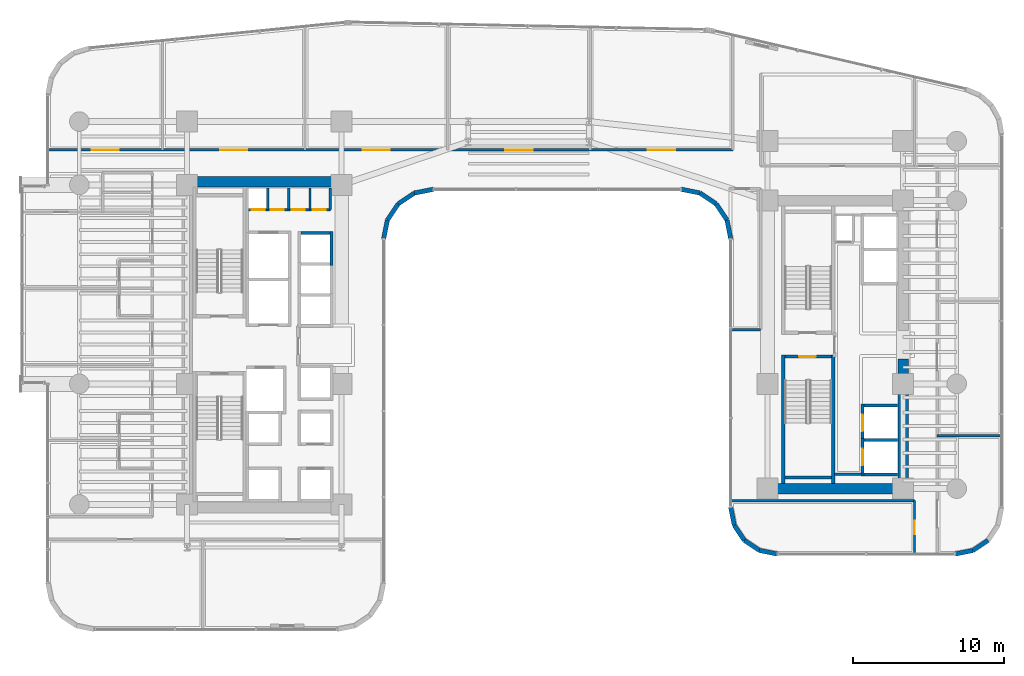
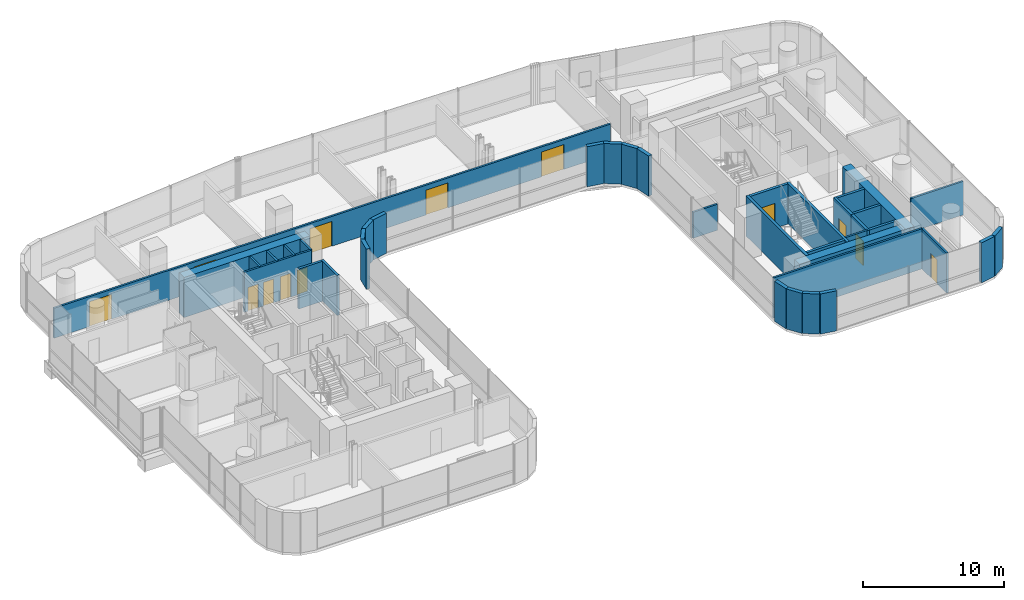
# One storey, part 31 of 39: 39 walls, 13 doors, 13 openings.
"""IFC4 building model written with IfcOpenShell, lengths in metres."""

from ifc_helpers import new_model, si_unit, direction, frame, frame_2d, origin, place, context, subcontext, project, spatial, rectangle, extrude, material, layer, layer_set, type_object, element, fill, save


model = new_model("IFC4")

# Units and contexts
model_context = context("Model", 3, precision=1e-05, world=origin(), true_north=direction((0.0, 1.0)))
body_context = subcontext(model_context, "Body", "Model", "MODEL_VIEW")
ifc_project = project(units=[si_unit("LENGTHUNIT", "METRE"), si_unit("AREAUNIT", "SQUARE_METRE"), si_unit("VOLUMEUNIT", "CUBIC_METRE"), si_unit("PLANEANGLEUNIT", "RADIAN"), si_unit("MASSUNIT", "GRAM", prefix="KILO")], contexts=[model_context])

# Site, building, storey
site_placement = place(None, origin())
site = spatial("IfcSite", under=ifc_project, at=site_placement, CompositionType="ELEMENT")
building_placement = place(site_placement, origin())
building = spatial("IfcBuilding", under=site, at=building_placement, Name="Valdorenza Pilgrim Sanctuary Tower", CompositionType="ELEMENT")
storey_placement = place(building_placement, frame((0.0, 0.0, 77.800048828125)))
storey = spatial("IfcBuildingStorey", under=building, at=storey_placement, Name="L19", CompositionType="ELEMENT", Elevation=77.800048828125)

# Wall, openings, doors
ifc_material_1 = material(Name="Acoustic twin-stud gypsum partition", Category="gypsum")
ifc_layer_1 = layer(ifc_material_1, 0.159912109375, Name="Acoustic twin-stud gypsum partition")
ifc_layer_set_1 = layer_set([ifc_layer_1], Name="Acoustic twin-stud gypsum partition")
wall_type_1 = type_object("IfcWallType", Name="WAL-COR-160", PredefinedType="PARTITIONING", material=ifc_layer_set_1)
wall_1_placement = place(storey_placement, frame((-18.64990234375, 8.949951171875, 0.0), z_axis=(0.0, 0.0, 1.0), x_axis=(1.0, 0.0, 0.0)))
wall_1 = element("IfcWall", 1, at=wall_1_placement, inside=storey, type_object=wall_type_1, Name="L19 Core A North Service South Wall", PredefinedType="PARTITIONING", context=body_context, shape_type="SweptSolid", body=[
    extrude(rectangle(XDim=5.5, YDim=0.159912109375, at=frame_2d((2.75, 0.0))), origin(), (0.0, 0.0, 1.0), 3.4599609375),
])
opening_1_placement = place(wall_1_placement, frame((0.300048828125, 0.0, 0.0)))
opening_1 = element("IfcOpeningElement", 2, at=opening_1_placement, cuts=wall_1, Name="Opening DR-RS1", PredefinedType="OPENING", context=body_context, shape_type="SweptSolid", body=[
    extrude(rectangle(XDim=0.85009765625, YDim=2.050048828125, at=frame_2d((0.425048828125, 1.02490234375))), frame((0.0, 0.0947265625, 0.0), z_axis=(0.0, -1.0, 0.0), x_axis=(1.0, 0.0, 0.0)), (0.0, 0.0, 1.0), 0.189697265625),
])
opening_2_placement = place(wall_1_placement, frame((1.550048828125, 0.0, 0.0)))
opening_2 = element("IfcOpeningElement", 3, at=opening_2_placement, cuts=wall_1, Name="Opening DR-RS1", PredefinedType="OPENING", context=body_context, shape_type="SweptSolid", body=[
    extrude(rectangle(XDim=0.85009765625, YDim=2.050048828125, at=frame_2d((0.425048828125, 1.02490234375))), frame((0.0, 0.0947265625, 0.0), z_axis=(0.0, -1.0, 0.0), x_axis=(1.0, 0.0, 0.0)), (0.0, 0.0, 1.0), 0.189697265625),
])
opening_3_placement = place(wall_1_placement, frame((2.949951171875, 0.0, 0.0)))
opening_3 = element("IfcOpeningElement", 4, at=opening_3_placement, cuts=wall_1, Name="Opening DR-RS1", PredefinedType="OPENING", context=body_context, shape_type="SweptSolid", body=[
    extrude(rectangle(XDim=0.85009765625, YDim=2.050048828125, at=frame_2d((0.425048828125, 1.02490234375))), frame((0.0, 0.0947265625, 0.0), z_axis=(0.0, -1.0, 0.0), x_axis=(1.0, 0.0, 0.0)), (0.0, 0.0, 1.0), 0.189697265625),
])
opening_4_placement = place(wall_1_placement, frame((4.35009765625, 0.0, 0.0)))
opening_4 = element("IfcOpeningElement", 5, at=opening_4_placement, cuts=wall_1, Name="Opening DR-RS1", PredefinedType="OPENING", context=body_context, shape_type="SweptSolid", body=[
    extrude(rectangle(XDim=0.85009765625, YDim=2.050048828125, at=frame_2d((0.425048828125, 1.02490234375))), frame((0.0, 0.0947265625, 0.0), z_axis=(0.0, -1.0, 0.0), x_axis=(1.0, 0.0, 0.0)), (0.0, 0.0, 1.0), 0.189697265625),
])
ifc_material_2 = material(Name="Painted galvanized steel", Category="steel")
door_type_1 = type_object("IfcDoorType", Name="DR-RSR-850", OperationType="NOTDEFINED", PredefinedType="DOOR", material=ifc_material_2)
door_1_placement = place(opening_1_placement, origin())
door_1 = element("IfcDoor", 6, at=door_1_placement, inside=storey, type_object=door_type_1, Name="L19 Core Electrical and Telecom Riser Door", OperationType="SINGLE_SWING_LEFT", OverallHeight=2.050048828125, OverallWidth=0.85009765625, PredefinedType="DOOR", context=body_context, shape_type="SweptSolid", body=[
    extrude(rectangle(XDim=0.85009765625, YDim=2.050048828125, at=frame_2d((0.425048828125, 1.02490234375))), frame((0.0, 0.02490234375, 0.0), z_axis=(0.0, -1.0, 0.0), x_axis=(1.0, 0.0, 0.0)), (0.0, 0.0, 1.0), 0.050048828125),
])
fill(opening_1, door_1)
door_2_placement = place(opening_2_placement, origin())
door_2 = element("IfcDoor", 7, at=door_2_placement, inside=storey, type_object=door_type_1, Name="L19 Housekeeping and Clean Linen Room Door", OperationType="SINGLE_SWING_RIGHT", OverallHeight=2.050048828125, OverallWidth=0.85009765625, PredefinedType="DOOR", context=body_context, shape_type="SweptSolid", body=[
    extrude(rectangle(XDim=0.85009765625, YDim=2.050048828125, at=frame_2d((0.425048828125, 1.02490234375))), frame((0.0, 0.02490234375, 0.0), z_axis=(0.0, -1.0, 0.0), x_axis=(1.0, 0.0, 0.0)), (0.0, 0.0, 1.0), 0.050048828125),
])
fill(opening_2, door_2)
door_3_placement = place(opening_3_placement, origin())
door_3 = element("IfcDoor", 8, at=door_3_placement, inside=storey, type_object=door_type_1, Name="L19 Core IT Server Closet Door", OperationType="SINGLE_SWING_LEFT", OverallHeight=2.050048828125, OverallWidth=0.85009765625, PredefinedType="DOOR", context=body_context, shape_type="SweptSolid", body=[
    extrude(rectangle(XDim=0.85009765625, YDim=2.050048828125, at=frame_2d((0.425048828125, 1.02490234375))), frame((0.0, 0.02490234375, 0.0), z_axis=(0.0, -1.0, 0.0), x_axis=(1.0, 0.0, 0.0)), (0.0, 0.0, 1.0), 0.050048828125),
])
fill(opening_3, door_3)
door_4_placement = place(opening_4_placement, origin())
door_4 = element("IfcDoor", 9, at=door_4_placement, inside=storey, type_object=door_type_1, Name="L19 Core Staff Washroom Door", OperationType="SINGLE_SWING_RIGHT", OverallHeight=2.050048828125, OverallWidth=0.85009765625, PredefinedType="DOOR", context=body_context, shape_type="SweptSolid", body=[
    extrude(rectangle(XDim=0.85009765625, YDim=2.050048828125, at=frame_2d((0.425048828125, 1.02490234375))), frame((0.0, 0.02490234375, 0.0), z_axis=(0.0, -1.0, 0.0), x_axis=(1.0, 0.0, 0.0)), (0.0, 0.0, 1.0), 0.050048828125),
])
fill(opening_4, door_4)

# Walls
for number, where, z_axis, x_axis, name in (
    (10, (-13.14990234375, 8.949951171875, 0.0), (0.0, 0.0, 1.0), (0.0, 1.0, 0.0), "L19 Core A North Service East Wall"),
    (11, (-17.300048828125, 8.949951171875, 0.0), (0.0, 0.0, 1.0), (0.0, 1.0, 0.0), "L19 Core Electrical Riser Wall"),
    (12, (-15.89990234375, 8.949951171875, 0.0), (0.0, 0.0, 1.0), (0.0, 1.0, 0.0), "L19 Core A Split D1"),
    (13, (-14.5, 8.949951171875, 0.0), (0.0, 0.0, 1.0), (0.0, 1.0, 0.0), "L19 Core A Split D2"),
):
    element("IfcWall", number, at=place(storey_placement, frame(where, z_axis=z_axis, x_axis=x_axis)), inside=storey, type_object=wall_type_1, Name=name, PredefinedType="PARTITIONING", context=body_context, shape_type="SweptSolid", body=[
        extrude(rectangle(XDim=1.429931640625, YDim=0.159912109375, at=frame_2d((0.71484375, 0.0))), origin(), (0.0, 0.0, 1.0), 3.4599609375),
    ])
wall_2_placement = place(storey_placement, frame((20.300048828125, -8.60009765625, 0.0), z_axis=(0.0, 0.0, 1.0), x_axis=(1.0, 0.0, 0.0)))
element("IfcWall", 14, at=wall_2_placement, inside=storey, type_object=wall_type_1, Name="L19 Core B Lift Hall South End Wall", PredefinedType="PARTITIONING", context=body_context, shape_type="SweptSolid", body=[
    extrude(rectangle(XDim=1.820068359375, YDim=0.159912109375, at=frame_2d((0.91015625, 0.0))), origin(), (0.0, 0.0, 1.0), 3.4599609375),
])

# Wall, openings, doors
wall_3_placement = place(storey_placement, frame((-31.889892578125, 12.919921875, 0.0), z_axis=(0.0, 0.0, 1.0), x_axis=(1.0, 0.0, 0.0)))
wall_3 = element("IfcWall", 15, at=wall_3_placement, inside=storey, type_object=wall_type_1, Name="L19 North Corridor Wall", PredefinedType="PARTITIONING", context=body_context, shape_type="SweptSolid", body=[
    extrude(rectangle(XDim=45.43994140625, YDim=0.159912109375, at=frame_2d((22.719970703125, 0.0))), origin(), (0.0, 0.0, 1.0), 2.5830078125),
])
opening_5_placement = place(wall_3_placement, frame((2.904052734375, 0.0, 0.0)))
opening_5 = element("IfcOpeningElement", 16, at=opening_5_placement, cuts=wall_3, Name="Opening DR-HL1", PredefinedType="OPENING", context=body_context, shape_type="SweptSolid", body=[
    extrude(rectangle(XDim=1.800048828125, YDim=2.14990234375, at=frame_2d((0.89990234375, 1.074951171875))), frame((0.0, 0.0947265625, 0.0), z_axis=(0.0, -1.0, 0.0), x_axis=(1.0, 0.0, 0.0)), (0.0, 0.0, 1.0), 0.189697265625),
])
opening_6_placement = place(wall_3_placement, frame((11.43701171875, 0.0, 0.0)))
opening_6 = element("IfcOpeningElement", 17, at=opening_6_placement, cuts=wall_3, Name="Opening DR-HL1", PredefinedType="OPENING", context=body_context, shape_type="SweptSolid", body=[
    extrude(rectangle(XDim=1.800048828125, YDim=2.14990234375, at=frame_2d((0.89990234375, 1.074951171875))), frame((0.0, 0.0947265625, 0.0), z_axis=(0.0, -1.0, 0.0), x_axis=(1.0, 0.0, 0.0)), (0.0, 0.0, 1.0), 0.189697265625),
])
opening_7_placement = place(wall_3_placement, frame((20.89501953125, 0.0, 0.0)))
opening_7 = element("IfcOpeningElement", 18, at=opening_7_placement, cuts=wall_3, Name="Opening DR-HL1", PredefinedType="OPENING", context=body_context, shape_type="SweptSolid", body=[
    extrude(rectangle(XDim=1.800048828125, YDim=2.14990234375, at=frame_2d((0.89990234375, 1.074951171875))), frame((0.0, 0.0947265625, 0.0), z_axis=(0.0, -1.0, 0.0), x_axis=(1.0, 0.0, 0.0)), (0.0, 0.0, 1.0), 0.189697265625),
])
opening_8_placement = place(wall_3_placement, frame((30.35302734375, 0.0, 0.0)))
opening_8 = element("IfcOpeningElement", 19, at=opening_8_placement, cuts=wall_3, Name="Opening DR-HL1", PredefinedType="OPENING", context=body_context, shape_type="SweptSolid", body=[
    extrude(rectangle(XDim=1.800048828125, YDim=2.14990234375, at=frame_2d((0.89990234375, 1.074951171875))), frame((0.0, 0.0947265625, 0.0), z_axis=(0.0, -1.0, 0.0), x_axis=(1.0, 0.0, 0.0)), (0.0, 0.0, 1.0), 0.189697265625),
])
opening_9_placement = place(wall_3_placement, frame((39.81103515625, 0.0, 0.0)))
opening_9 = element("IfcOpeningElement", 20, at=opening_9_placement, cuts=wall_3, Name="Opening DR-HL1", PredefinedType="OPENING", context=body_context, shape_type="SweptSolid", body=[
    extrude(rectangle(XDim=1.800048828125, YDim=2.14990234375, at=frame_2d((0.89990234375, 1.074951171875))), frame((0.0, 0.0947265625, 0.0), z_axis=(0.0, -1.0, 0.0), x_axis=(1.0, 0.0, 0.0)), (0.0, 0.0, 1.0), 0.189697265625),
])
ifc_material_3 = material(Name="Acoustic oak and vision-glass double door", Category="glass")
door_type_2 = type_object("IfcDoorType", Name="DR-HALL-1800", OperationType="NOTDEFINED", PredefinedType="DOOR", material=ifc_material_3)
door_5_placement = place(opening_5_placement, origin())
door_5 = element("IfcDoor", 21, at=door_5_placement, inside=storey, type_object=door_type_2, Name="L19 Theological Seminar Classroom L19-N1 Door", OperationType="DOUBLE_DOOR_SINGLE_SWING", OverallHeight=2.14990234375, OverallWidth=1.800048828125, PredefinedType="DOOR", context=body_context, shape_type="SweptSolid", body=[
    extrude(rectangle(XDim=1.800048828125, YDim=2.14990234375, at=frame_2d((0.89990234375, 1.074951171875))), frame((0.0, 0.02490234375, 0.0), z_axis=(0.0, -1.0, 0.0), x_axis=(1.0, 0.0, 0.0)), (0.0, 0.0, 1.0), 0.050048828125),
])
fill(opening_5, door_5)
door_6_placement = place(opening_6_placement, frame((1.800048828125, 0.0, 0.0), z_axis=(0.0, 0.0, 1.0), x_axis=(-1.0, 0.0, 0.0)))
door_6 = element("IfcDoor", 22, at=door_6_placement, inside=storey, type_object=door_type_2, Name="L19 Theological Seminar Classroom L19-N2 Door", OperationType="DOUBLE_DOOR_SINGLE_SWING", OverallHeight=2.14990234375, OverallWidth=1.800048828125, PredefinedType="DOOR", context=body_context, shape_type="SweptSolid", body=[
    extrude(rectangle(XDim=1.800048828125, YDim=2.14990234375, at=frame_2d((0.89990234375, 1.074951171875))), frame((0.0, 0.02490234375, 0.0), z_axis=(0.0, -1.0, 0.0), x_axis=(1.0, 0.0, 0.0)), (0.0, 0.0, 1.0), 0.050048828125),
])
fill(opening_6, door_6)
door_7_placement = place(opening_7_placement, origin())
door_7 = element("IfcDoor", 23, at=door_7_placement, inside=storey, type_object=door_type_2, Name="L19 Theological Seminar Classroom L19-N3 Door", OperationType="DOUBLE_DOOR_SINGLE_SWING", OverallHeight=2.14990234375, OverallWidth=1.800048828125, PredefinedType="DOOR", context=body_context, shape_type="SweptSolid", body=[
    extrude(rectangle(XDim=1.800048828125, YDim=2.14990234375, at=frame_2d((0.89990234375, 1.074951171875))), frame((0.0, 0.02490234375, 0.0), z_axis=(0.0, -1.0, 0.0), x_axis=(1.0, 0.0, 0.0)), (0.0, 0.0, 1.0), 0.050048828125),
])
fill(opening_7, door_7)
door_8_placement = place(opening_8_placement, frame((1.800048828125, 0.0, 0.0), z_axis=(0.0, 0.0, 1.0), x_axis=(-1.0, 0.0, 0.0)))
door_8 = element("IfcDoor", 24, at=door_8_placement, inside=storey, type_object=door_type_2, Name="L19 Theological Seminar Classroom L19-N4 Door", OperationType="DOUBLE_DOOR_SINGLE_SWING", OverallHeight=2.14990234375, OverallWidth=1.800048828125, PredefinedType="DOOR", context=body_context, shape_type="SweptSolid", body=[
    extrude(rectangle(XDim=1.800048828125, YDim=2.14990234375, at=frame_2d((0.89990234375, 1.074951171875))), frame((0.0, 0.02490234375, 0.0), z_axis=(0.0, -1.0, 0.0), x_axis=(1.0, 0.0, 0.0)), (0.0, 0.0, 1.0), 0.050048828125),
])
fill(opening_8, door_8)
door_9_placement = place(opening_9_placement, origin())
door_9 = element("IfcDoor", 25, at=door_9_placement, inside=storey, type_object=door_type_2, Name="L19 Theological Seminar Classroom L19-N5 Door", OperationType="DOUBLE_DOOR_SINGLE_SWING", OverallHeight=2.14990234375, OverallWidth=1.800048828125, PredefinedType="DOOR", context=body_context, shape_type="SweptSolid", body=[
    extrude(rectangle(XDim=1.800048828125, YDim=2.14990234375, at=frame_2d((0.89990234375, 1.074951171875))), frame((0.0, 0.02490234375, 0.0), z_axis=(0.0, -1.0, 0.0), x_axis=(1.0, 0.0, 0.0)), (0.0, 0.0, 1.0), 0.050048828125),
])
fill(opening_9, door_9)

# Wall, opening, door
wall_4_placement = place(storey_placement, frame((25.60009765625, -13.889892578125, 0.0), z_axis=(0.0, 0.0, 1.0), x_axis=(0.0, 1.0, 0.0)))
wall_4 = element("IfcWall", 26, at=wall_4_placement, inside=storey, type_object=wall_type_1, Name="L19 Wing B South-East Corridor Wall", PredefinedType="PARTITIONING", context=body_context, shape_type="SweptSolid", body=[
    extrude(rectangle(XDim=3.539794921875, YDim=0.159912109375, at=frame_2d((1.77001953125, 0.0))), origin(), (0.0, 0.0, 1.0), 3.4599609375),
])
opening_10_placement = place(wall_4_placement, frame((1.320068359375, 0.0, 0.0)))
opening_10 = element("IfcOpeningElement", 27, at=opening_10_placement, cuts=wall_4, Name="Opening DR-RM1", PredefinedType="OPENING", context=body_context, shape_type="SweptSolid", body=[
    extrude(rectangle(XDim=0.89990234375, YDim=2.10009765625, at=frame_2d((0.449951171875, 1.050048828125))), frame((0.0, 0.0947265625, 0.0), z_axis=(0.0, -1.0, 0.0), x_axis=(1.0, 0.0, 0.0)), (0.0, 0.0, 1.0), 0.189697265625),
])
ifc_material_4 = material(Name="Solid-core European oak timber", Category="wood")
door_type_3 = type_object("IfcDoorType", Name="DR-ROOM-900", OperationType="NOTDEFINED", PredefinedType="DOOR", material=ifc_material_4)
door_10_placement = place(opening_10_placement, origin())
door_10 = element("IfcDoor", 28, at=door_10_placement, inside=storey, type_object=door_type_3, Name="L19 Theological Reference Library L19-BS Door", OperationType="SINGLE_SWING_RIGHT", OverallHeight=2.10009765625, OverallWidth=0.89990234375, PredefinedType="DOOR", context=body_context, shape_type="SweptSolid", body=[
    extrude(rectangle(XDim=0.89990234375, YDim=2.10009765625, at=frame_2d((0.449951171875, 1.050048828125))), frame((0.0, 0.02490234375, 0.0), z_axis=(0.0, -1.0, 0.0), x_axis=(1.0, 0.0, 0.0)), (0.0, 0.0, 1.0), 0.050048828125),
])
fill(opening_10, door_10)

# Walls
wall_5_placement = place(storey_placement, frame((13.409912109375, -10.35009765625, 0.0), z_axis=(0.0, 0.0, 1.0), x_axis=(1.0, 0.0, 0.0)))
element("IfcWall", 29, at=wall_5_placement, inside=storey, type_object=wall_type_1, Name="L19 Wing B South North Wall", PredefinedType="PARTITIONING", context=body_context, shape_type="SweptSolid", body=[
    extrude(rectangle(XDim=12.190185546875, YDim=0.159912109375, at=frame_2d((6.09521484375, 0.0))), origin(), (0.0, 0.0, 1.0), 3.4599609375),
])
wall_6_placement = place(storey_placement, frame((13.409912109375, 1.0, 0.0), z_axis=(0.0, 0.0, 1.0), x_axis=(1.0, 0.0, 0.0)))
element("IfcWall", 30, at=wall_6_placement, inside=storey, type_object=wall_type_1, Name="L19 Courtyard Overlook South Wall", PredefinedType="PARTITIONING", context=body_context, shape_type="SweptSolid", body=[
    extrude(rectangle(XDim=1.989990234375, YDim=0.159912109375, at=frame_2d((0.9951171875, 0.0))), origin(), (0.0, 0.0, 1.0), 2.244873046875),
])
ifc_material_5 = material(Name="Concrete C60/75", Category="concrete")
ifc_layer_2 = layer(ifc_material_5, 0.699951171875, Name="Concrete C60/75")
ifc_layer_set_2 = layer_set([ifc_layer_2], Name="Concrete C60/75")
wall_type_2 = type_object("IfcWallType", Name="WAL-COR-700", PredefinedType="SHEAR", material=ifc_layer_set_2)
wall_7_placement = place(storey_placement, frame((-22.64990234375, 10.800048828125, 0.0), z_axis=(0.0, 0.0, 1.0), x_axis=(1.0, 0.0, 0.0)))
element("IfcWall", 31, at=wall_7_placement, inside=storey, type_object=wall_type_2, Name="L19 Split Core A Shear Wall N", PredefinedType="SHEAR", context=body_context, shape_type="SweptSolid", body=[
    extrude(rectangle(XDim=10.25, YDim=0.699951171875, at=frame_2d((5.125, 0.0))), origin(), (0.0, 0.0, 1.0), 3.4599609375),
])
wall_8_placement = place(storey_placement, frame((24.85009765625, -9.89990234375, 0.0), z_axis=(0.0, 0.0, 1.0), x_axis=(0.0, 1.0, 0.0)))
element("IfcWall", 32, at=wall_8_placement, inside=storey, type_object=wall_type_2, Name="L19 Split Core B Shear Wall ES", PredefinedType="SHEAR", context=body_context, shape_type="SweptSolid", body=[
    extrude(rectangle(XDim=8.949951171875, YDim=0.699951171875, at=frame_2d((4.47509765625, 0.0))), origin(), (0.0, 0.0, 1.0), 3.4599609375),
])
wall_9_placement = place(storey_placement, frame((15.85009765625, -9.550048828125, 0.0), z_axis=(0.0, 0.0, 1.0), x_axis=(1.0, 0.0, 0.0)))
element("IfcWall", 33, at=wall_9_placement, inside=storey, type_object=wall_type_2, Name="L19 Split Core B Shear Wall S", PredefinedType="SHEAR", context=body_context, shape_type="SweptSolid", body=[
    extrude(rectangle(XDim=9.0, YDim=0.699951171875, at=frame_2d((4.5, 0.0))), origin(), (0.0, 0.0, 1.0), 3.4599609375),
])
ifc_material_6 = material(Name="Honed travertine limestone", Category="masonry")
ifc_layer_3 = layer(ifc_material_6, 0.300048828125, Name="Honed travertine limestone")
ifc_layer_set_3 = layer_set([ifc_layer_3], Name="Honed travertine limestone")
wall_type_3 = type_object("IfcWallType", Name="WAL-EXT-300", PredefinedType="SOLIDWALL", material=ifc_layer_set_3)
wall_10_placement = place(storey_placement, frame((30.4833984375, -12.9833984375, 0.0), z_axis=(0.0, 0.0, 1.0), x_axis=(-0.831426265255, -0.555635100982, 0.0)))
element("IfcWall", 34, at=wall_10_placement, inside=storey, type_object=wall_type_3, Name="L19 Rounded Wind-Corner Stone Pier 24", PredefinedType="SOLIDWALL", context=body_context, shape_type="SweptSolid", body=[
    extrude(rectangle(XDim=1.204833984375, YDim=0.300048828125, at=frame_2d((0.6025390625, 0.0))), origin(), (0.0, 0.0, 1.0), 3.4599609375),
])
for number, where, z_axis, x_axis, name in (
    (35, (29.481689453125, -13.65283203125, 0.0), (0.0, 0.0, 1.0), (-0.980804027463, -0.194996050505, 0.0), "L19 Rounded Wind-Corner Stone Pier 25"),
    (36, (16.5107421875, -13.889892578125, 0.0), (0.0, 0.0, 1.0), (-0.980804027463, 0.194996050505, 0.0), "L19 Rounded Wind-Corner Stone Pier 27"),
):
    element("IfcWall", number, at=place(storey_placement, frame(where, z_axis=z_axis, x_axis=x_axis)), inside=storey, type_object=wall_type_3, Name=name, PredefinedType="SOLIDWALL", context=body_context, shape_type="SweptSolid", body=[
        extrude(rectangle(XDim=1.2158203125, YDim=0.300048828125, at=frame_2d((0.60791015625, 0.0))), origin(), (0.0, 0.0, 1.0), 3.4599609375),
    ])
for number, where, z_axis, x_axis, name in (
    (37, (15.318359375, -13.65283203125, 0.0), (0.0, 0.0, 1.0), (-0.831426265255, 0.555635100982, 0.0), "L19 Rounded Wind-Corner Stone Pier 28"),
    (38, (14.316650390625, -12.9833984375, 0.0), (0.0, 0.0, 1.0), (-0.555635100982, 0.831426265255, 0.0), "L19 Rounded Wind-Corner Stone Pier 29"),
):
    element("IfcWall", number, at=place(storey_placement, frame(where, z_axis=z_axis, x_axis=x_axis)), inside=storey, type_object=wall_type_3, Name=name, PredefinedType="SOLIDWALL", context=body_context, shape_type="SweptSolid", body=[
        extrude(rectangle(XDim=1.204833984375, YDim=0.300048828125, at=frame_2d((0.6025390625, 0.0))), origin(), (0.0, 0.0, 1.0), 3.4599609375),
    ])
wall_11_placement = place(storey_placement, frame((13.647216796875, -11.981689453125, 0.0), z_axis=(0.0, 0.0, 1.0), x_axis=(-0.195189223115, 0.980765602568, 0.0)))
element("IfcWall", 39, at=wall_11_placement, inside=storey, type_object=wall_type_3, Name="L19 Rounded Wind-Corner Stone Pier 30", PredefinedType="SOLIDWALL", context=body_context, shape_type="SweptSolid", body=[
    extrude(rectangle(XDim=1.2158203125, YDim=0.300048828125, at=frame_2d((0.60791015625, 0.0))), origin(), (0.0, 0.0, 1.0), 3.4599609375),
])
wall_12_placement = place(storey_placement, frame((13.409912109375, 7.0107421875, 0.0), z_axis=(0.0, 0.0, 1.0), x_axis=(-0.195090163074, 0.980785312019, 0.0)))
element("IfcWall", 40, at=wall_12_placement, inside=storey, type_object=wall_type_3, Name="L19 Rounded Wind-Corner Stone Pier 32", PredefinedType="SOLIDWALL", context=body_context, shape_type="SweptSolid", body=[
    extrude(rectangle(XDim=1.281494140625, YDim=0.300048828125, at=frame_2d((0.640625, 0.0))), origin(), (0.0, 0.0, 1.0), 3.4599609375),
])
for number, where, z_axis, x_axis, name in (
    (41, (13.159912109375, 8.267578125, 0.0), (0.0, 0.0, 1.0), (-0.555615398575, 0.831439431869, 0.0), "L19 Rounded Wind-Corner Stone Pier 33"),
    (42, (12.44189453125, 9.342041015625, 0.0), (0.0, 0.0, 1.0), (-0.831439431869, 0.555615398575, 0.0), "L19 Rounded Wind-Corner Stone Pier 34"),
):
    element("IfcWall", number, at=place(storey_placement, frame(where, z_axis=z_axis, x_axis=x_axis)), inside=storey, type_object=wall_type_3, Name=name, PredefinedType="SOLIDWALL", context=body_context, shape_type="SweptSolid", body=[
        extrude(rectangle(XDim=1.292236328125, YDim=0.300048828125, at=frame_2d((0.64599609375, 0.0))), origin(), (0.0, 0.0, 1.0), 3.4599609375),
    ])
for number, where, z_axis, x_axis, name in (
    (43, (11.367431640625, 10.06005859375, 0.0), (0.0, 0.0, 1.0), (-0.980778058848, 0.195126623715, 0.0), "L19 Rounded Wind-Corner Stone Pier 35"),
    (44, (-6.310791015625, 10.31005859375, 0.0), (0.0, 0.0, 1.0), (-0.980778058848, -0.195126623715, 0.0), "L19 Rounded Wind-Corner Stone Pier 37"),
):
    element("IfcWall", number, at=place(storey_placement, frame(where, z_axis=z_axis, x_axis=x_axis)), inside=storey, type_object=wall_type_3, Name=name, PredefinedType="SOLIDWALL", context=body_context, shape_type="SweptSolid", body=[
        extrude(rectangle(XDim=1.28125, YDim=0.300048828125, at=frame_2d((0.640625, 0.0))), origin(), (0.0, 0.0, 1.0), 3.4599609375),
    ])
wall_13_placement = place(storey_placement, frame((-7.5673828125, 10.06005859375, 0.0), z_axis=(0.0, 0.0, 1.0), x_axis=(-0.831497739511, -0.555528135371, 0.0)))
element("IfcWall", 45, at=wall_13_placement, inside=storey, type_object=wall_type_3, Name="L19 Rounded Wind-Corner Stone Pier 38", PredefinedType="SOLIDWALL", context=body_context, shape_type="SweptSolid", body=[
    extrude(rectangle(XDim=1.29248046875, YDim=0.300048828125, at=frame_2d((0.646240234375, 0.0))), origin(), (0.0, 0.0, 1.0), 3.4599609375),
])
wall_14_placement = place(storey_placement, frame((-8.64208984375, 9.342041015625, 0.0), z_axis=(0.0, 0.0, 1.0), x_axis=(-0.555615398575, -0.831439431869, 0.0)))
element("IfcWall", 46, at=wall_14_placement, inside=storey, type_object=wall_type_3, Name="L19 Rounded Wind-Corner Stone Pier 39", PredefinedType="SOLIDWALL", context=body_context, shape_type="SweptSolid", body=[
    extrude(rectangle(XDim=1.292236328125, YDim=0.300048828125, at=frame_2d((0.64599609375, 0.0))), origin(), (0.0, 0.0, 1.0), 3.4599609375),
])
wall_15_placement = place(storey_placement, frame((-9.360107421875, 8.267578125, 0.0), z_axis=(0.0, 0.0, 1.0), x_axis=(-0.195090163074, -0.980785312019, 0.0)))
element("IfcWall", 47, at=wall_15_placement, inside=storey, type_object=wall_type_3, Name="L19 Rounded Wind-Corner Stone Pier 40", PredefinedType="SOLIDWALL", context=body_context, shape_type="SweptSolid", body=[
    extrude(rectangle(XDim=1.281494140625, YDim=0.300048828125, at=frame_2d((0.640625, 0.0))), origin(), (0.0, 0.0, 1.0), 3.4599609375),
])

# Wall, opening, door
ifc_material_7 = material(Name="Autoclaved aerated concrete blockwork", Category="masonry")
ifc_layer_4 = layer(ifc_material_7, 0.199951171875, Name="Autoclaved aerated concrete blockwork")
ifc_layer_set_4 = layer_set([ifc_layer_4], Name="Autoclaved aerated concrete blockwork")
wall_type_4 = type_object("IfcWallType", Name="WAL-SHF-200", PredefinedType="MOVABLE", material=ifc_layer_set_4)
wall_16_placement = place(storey_placement, frame((22.14990234375, -8.699951171875, 0.0), z_axis=(0.0, 0.0, 1.0), x_axis=(0.0, 1.0, 0.0)))
wall_16 = element("IfcWall", 48, at=wall_16_placement, inside=storey, type_object=wall_type_4, Name="L19 Lift PL-03 Hoistway Wall West", PredefinedType="MOVABLE", context=body_context, shape_type="SweptSolid", body=[
    extrude(rectangle(XDim=2.474853515625, YDim=0.199951171875, at=frame_2d((1.2373046875, 0.0))), origin(), (0.0, 0.0, 1.0), 3.4599609375),
])
opening_11_placement = place(wall_16_placement, frame((0.6875, 0.0, 0.0)))
opening_11 = element("IfcOpeningElement", 49, at=opening_11_placement, cuts=wall_16, Name="Opening LD-01", PredefinedType="OPENING", context=body_context, shape_type="SweptSolid", body=[
    extrude(rectangle(XDim=1.10009765625, YDim=2.10009765625, at=frame_2d((0.550048828125, 1.050048828125))), frame((0.0, 0.11474609375, 0.0), z_axis=(0.0, -1.0, 0.0), x_axis=(1.0, 0.0, 0.0)), (0.0, 0.0, 1.0), 0.229736328125),
])
ifc_material_8 = material(Name="Brushed stainless steel Grade 316", Category="steel")
door_type_4 = type_object("IfcDoorType", Name="DR-LFT-1100", OperationType="DOUBLE_DOOR_SLIDING", PredefinedType="DOOR", material=ifc_material_8)
door_11_placement = place(opening_11_placement, origin())
door_11 = element("IfcDoor", 50, at=door_11_placement, inside=storey, type_object=door_type_4, Name="L19 Lift PL-03 Sliding Landing Door", OperationType="DOUBLE_DOOR_SLIDING", OverallHeight=2.10009765625, OverallWidth=1.10009765625, PredefinedType="DOOR", context=body_context, shape_type="SweptSolid", body=[
    extrude(rectangle(XDim=1.10009765625, YDim=2.10009765625, at=frame_2d((0.550048828125, 1.050048828125))), frame((0.0, 0.02490234375, 0.0), z_axis=(0.0, -1.0, 0.0), x_axis=(1.0, 0.0, 0.0)), (0.0, 0.0, 1.0), 0.050048828125),
])
fill(opening_11, door_11)

# Walls
for number, where, z_axis, x_axis, name in (
    (51, (22.25, -8.60009765625, 0.0), (0.0, 0.0, 1.0), (1.0, 0.0, 0.0), "L19 Lift PL-03 Hoistway Wall South"),
    (52, (22.25, -6.324951171875, 0.0), (0.0, 0.0, 1.0), (1.0, 0.0, 0.0), "L19 Lift PL-03 Hoistway Wall North"),
):
    element("IfcWall", number, at=place(storey_placement, frame(where, z_axis=z_axis, x_axis=x_axis)), inside=storey, type_object=wall_type_4, Name=name, PredefinedType="MOVABLE", context=body_context, shape_type="SweptSolid", body=[
        extrude(rectangle(XDim=2.22998046875, YDim=0.199951171875, at=frame_2d((1.114990234375, 0.0))), origin(), (0.0, 0.0, 1.0), 3.4599609375),
    ])

# Wall, opening, door
wall_17_placement = place(storey_placement, frame((22.14990234375, -6.425048828125, 0.0), z_axis=(0.0, 0.0, 1.0), x_axis=(0.0, 1.0, 0.0)))
wall_17 = element("IfcWall", 53, at=wall_17_placement, inside=storey, type_object=wall_type_4, Name="L19 Lift PL-04 Hoistway Wall West", PredefinedType="MOVABLE", context=body_context, shape_type="SweptSolid", body=[
    extrude(rectangle(XDim=2.47509765625, YDim=0.199951171875, at=frame_2d((1.237548828125, 0.0))), origin(), (0.0, 0.0, 1.0), 3.4599609375),
])
opening_12_placement = place(wall_17_placement, frame((0.6875, 0.0, 0.0)))
opening_12 = element("IfcOpeningElement", 54, at=opening_12_placement, cuts=wall_17, Name="Opening LD-01", PredefinedType="OPENING", context=body_context, shape_type="SweptSolid", body=[
    extrude(rectangle(XDim=1.10009765625, YDim=2.10009765625, at=frame_2d((0.550048828125, 1.050048828125))), frame((0.0, 0.11474609375, 0.0), z_axis=(0.0, -1.0, 0.0), x_axis=(1.0, 0.0, 0.0)), (0.0, 0.0, 1.0), 0.229736328125),
])
door_12_placement = place(opening_12_placement, origin())
door_12 = element("IfcDoor", 55, at=door_12_placement, inside=storey, type_object=door_type_4, Name="L19 Lift PL-04 Sliding Landing Door", OperationType="DOUBLE_DOOR_SLIDING", OverallHeight=2.10009765625, OverallWidth=1.10009765625, PredefinedType="DOOR", context=body_context, shape_type="SweptSolid", body=[
    extrude(rectangle(XDim=1.10009765625, YDim=2.10009765625, at=frame_2d((0.550048828125, 1.050048828125))), frame((0.0, 0.02490234375, 0.0), z_axis=(0.0, -1.0, 0.0), x_axis=(1.0, 0.0, 0.0)), (0.0, 0.0, 1.0), 0.050048828125),
])
fill(opening_12, door_12)

# Walls
wall_18_placement = place(storey_placement, frame((22.25, -4.050048828125, 0.0), z_axis=(0.0, 0.0, 1.0), x_axis=(1.0, 0.0, 0.0)))
element("IfcWall", 56, at=wall_18_placement, inside=storey, type_object=wall_type_4, Name="L19 Lift PL-04 Hoistway Wall North", PredefinedType="MOVABLE", context=body_context, shape_type="SweptSolid", body=[
    extrude(rectangle(XDim=2.22998046875, YDim=0.199951171875, at=frame_2d((1.114990234375, 0.0))), origin(), (0.0, 0.0, 1.0), 3.4599609375),
])
wall_19_placement = place(storey_placement, frame((-13.080078125, 5.25, 0.0), z_axis=(0.0, 0.0, 1.0), x_axis=(0.0, 1.0, 0.0)))
element("IfcWall", 57, at=wall_19_placement, inside=storey, type_object=wall_type_4, Name="L19 Lift PL-10 Hoistway Wall East", PredefinedType="MOVABLE", context=body_context, shape_type="SweptSolid", body=[
    extrude(rectangle(XDim=2.25, YDim=0.199951171875, at=frame_2d((1.125, 0.0))), origin(), (0.0, 0.0, 1.0), 3.4599609375),
])
wall_20_placement = place(storey_placement, frame((-15.10009765625, 7.39990234375, 0.0), z_axis=(0.0, 0.0, 1.0), x_axis=(1.0, 0.0, 0.0)))
element("IfcWall", 58, at=wall_20_placement, inside=storey, type_object=wall_type_4, Name="L19 Lift PL-10 Hoistway Wall North", PredefinedType="MOVABLE", context=body_context, shape_type="SweptSolid", body=[
    extrude(rectangle(XDim=1.920166015625, YDim=0.199951171875, at=frame_2d((0.9599609375, 0.0))), origin(), (0.0, 0.0, 1.0), 3.4599609375),
])
ifc_material_9 = material(Name="Concrete C40/50", Category="concrete")
ifc_layer_5 = layer(ifc_material_9, 0.219970703125, Name="Concrete C40/50")
ifc_layer_set_5 = layer_set([ifc_layer_5], Name="Concrete C40/50")
wall_type_5 = type_object("IfcWallType", Name="WAL-STR-SHF-220", PredefinedType="SHEAR", material=ifc_layer_set_5)
for number, where, z_axis, x_axis, name in (
    (59, (16.889892578125, -9.199951171875, 0.0), (0.0, 0.0, 1.0), (0.0, 1.0, 0.0), "L19 ST-B2 Structural Stairwell Wall W"),
    (60, (20.219970703125, -9.199951171875, 0.0), (0.0, 0.0, 1.0), (0.0, 1.0, 0.0), "L19 ST-B2 Structural Stairwell Wall E"),
):
    element("IfcWall", number, at=place(storey_placement, frame(where, z_axis=z_axis, x_axis=x_axis)), inside=storey, type_object=wall_type_5, Name=name, PredefinedType="SHEAR", context=body_context, shape_type="SweptSolid", body=[
        extrude(rectangle(XDim=8.52001953125, YDim=0.219970703125, at=frame_2d((4.260009765625, 0.0))), origin(), (0.0, 0.0, 1.0), 3.4599609375),
    ])
wall_21_placement = place(storey_placement, frame((17.0, -8.81005859375, 0.0), z_axis=(0.0, 0.0, 1.0), x_axis=(1.0, 0.0, 0.0)))
element("IfcWall", 61, at=wall_21_placement, inside=storey, type_object=wall_type_5, Name="L19 ST-B2 Structural Stairwell Wall S", PredefinedType="SHEAR", context=body_context, shape_type="SweptSolid", body=[
    extrude(rectangle(XDim=3.110107421875, YDim=0.219970703125, at=frame_2d((1.55517578125, 0.0))), origin(), (0.0, 0.0, 1.0), 3.4599609375),
])

# Wall, opening, door
wall_22_placement = place(storey_placement, frame((17.0, -0.7900390625, 0.0), z_axis=(0.0, 0.0, 1.0), x_axis=(1.0, 0.0, 0.0)))
wall_22 = element("IfcWall", 62, at=wall_22_placement, inside=storey, type_object=wall_type_5, Name="L19 ST-B2 Structural Stairwell Wall N", PredefinedType="SHEAR", context=body_context, shape_type="SweptSolid", body=[
    extrude(rectangle(XDim=3.110107421875, YDim=0.219970703125, at=frame_2d((1.55517578125, 0.0))), origin(), (0.0, 0.0, 1.0), 3.4599609375),
])
opening_13_placement = place(wall_22_placement, frame((0.949951171875, 0.0, 0.0)))
opening_13 = element("IfcOpeningElement", 63, at=opening_13_placement, cuts=wall_22, Name="Opening DR-ST1", PredefinedType="OPENING", context=body_context, shape_type="SweptSolid", body=[
    extrude(rectangle(XDim=1.10009765625, YDim=2.14990234375, at=frame_2d((0.550048828125, 1.074951171875))), frame((0.0, 0.125, 0.0), z_axis=(0.0, -1.0, 0.0), x_axis=(1.0, 0.0, 0.0)), (0.0, 0.0, 1.0), 0.249755859375),
])
door_type_5 = type_object("IfcDoorType", Name="DR-STAIR-1100", OperationType="NOTDEFINED", PredefinedType="DOOR", material=ifc_material_2)
door_13_placement = place(opening_13_placement, frame((1.10009765625, 0.0, 0.0), z_axis=(0.0, 0.0, 1.0), x_axis=(-1.0, 0.0, 0.0)))
door_13 = element("IfcDoor", 64, at=door_13_placement, inside=storey, type_object=door_type_5, Name="L19 Exit Stair ST-B2 Door", OperationType="SINGLE_SWING_LEFT", OverallHeight=2.14990234375, OverallWidth=1.10009765625, PredefinedType="DOOR", context=body_context, shape_type="SweptSolid", body=[
    extrude(rectangle(XDim=1.10009765625, YDim=2.14990234375, at=frame_2d((0.550048828125, 1.074951171875))), frame((0.0, 0.02490234375, 0.0), z_axis=(0.0, -1.0, 0.0), x_axis=(1.0, 0.0, 0.0)), (0.0, 0.0, 1.0), 0.050048828125),
])
fill(opening_13, door_13)

# Wall
ifc_layer_6 = layer(ifc_material_1, 0.14990234375, Name="Acoustic twin-stud gypsum partition")
ifc_layer_set_6 = layer_set([ifc_layer_6], Name="Acoustic twin-stud gypsum partition")
wall_type_6 = type_object("IfcWallType", Name="WAL-UNT-150", PredefinedType="PARTITIONING", material=ifc_layer_set_6)
wall_23_placement = place(storey_placement, frame((27.10009765625, -6.050048828125, 0.0), z_axis=(0.0, 0.0, 1.0), x_axis=(1.0, 0.0, 0.0)))
element("IfcWall", 65, at=wall_23_placement, inside=storey, type_object=wall_type_6, Name="L19 East Reading Lounge L19-EB2 Demising Wall", PredefinedType="PARTITIONING", context=body_context, shape_type="SweptSolid", body=[
    extrude(rectangle(XDim=4.289794921875, YDim=0.14990234375, at=frame_2d((2.14501953125, 0.0))), origin(), (0.0, 0.0, 1.0), 2.89599609375),
])

save(model, "model.ifc")
